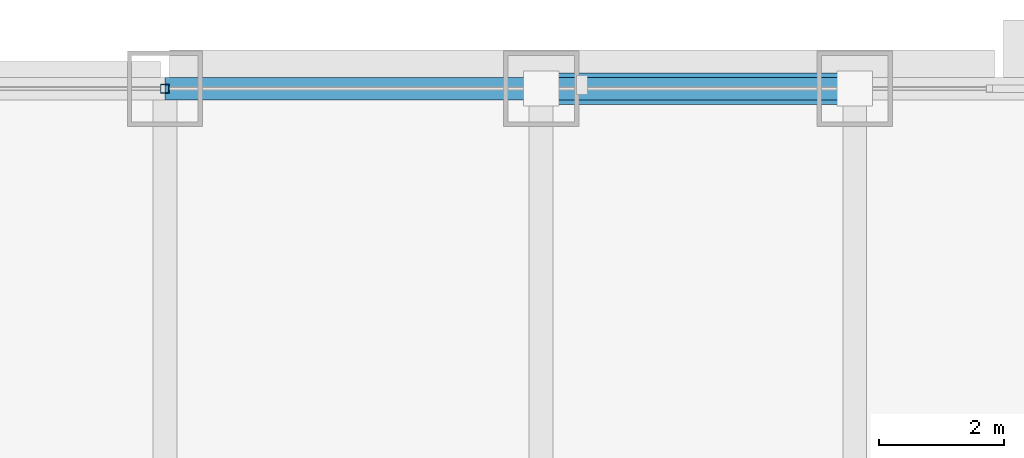
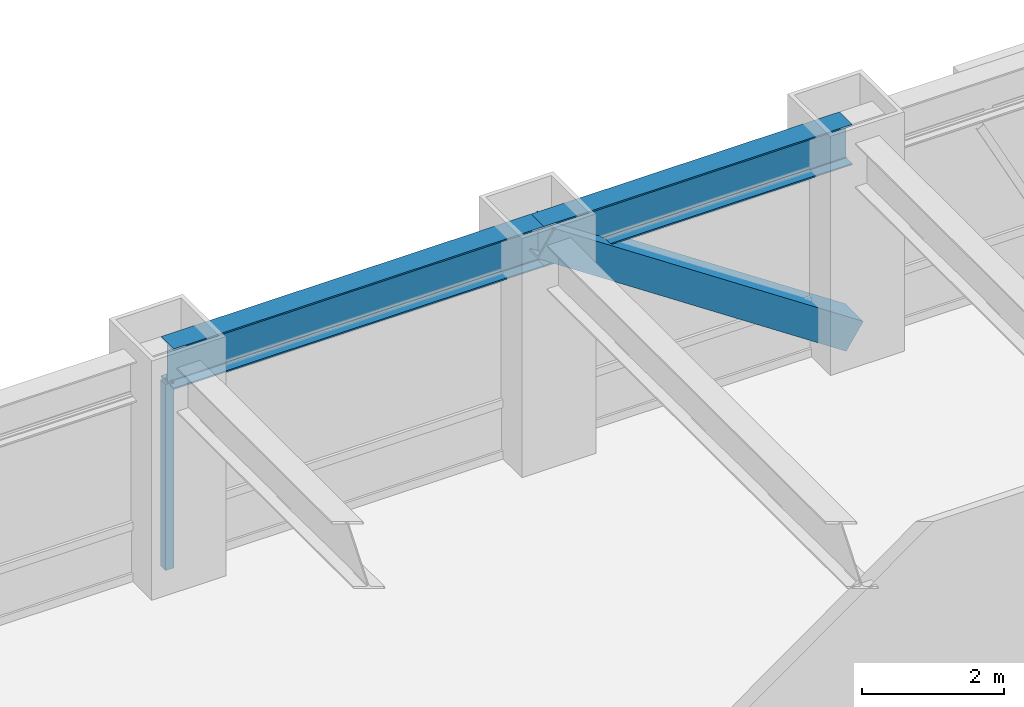
# One storey, part 19 of 32: 2 beams, 2 members, 1 element without a shape of its own.
"""IFC4 building model written with IfcOpenShell, lengths in metres."""

from ifc_helpers import new_model, si_unit, direction, frame, origin, origin_2d, place, context, subcontext, project, spatial, hollow_rectangle, i_section, extrude, source, transform, mapped, material, material_profile, profile_set, type_object, element, aggregate, save


model = new_model("IFC4")

# Units and contexts
model_context = context("Model", 3, precision=1e-05, world=origin(), true_north=direction((0.0, 1.0)))
body_context = subcontext(model_context, "Body", "Model", "MODEL_VIEW")
ifc_project = project(units=[si_unit("LENGTHUNIT", "METRE"), si_unit("AREAUNIT", "SQUARE_METRE"), si_unit("VOLUMEUNIT", "CUBIC_METRE"), si_unit("PLANEANGLEUNIT", "RADIAN"), si_unit("MASSUNIT", "GRAM", prefix="KILO")], contexts=[model_context])

# Site, building, storey
site_placement = place(None, origin())
site = spatial("IfcSite", under=ifc_project, at=site_placement, CompositionType="ELEMENT")
building_placement = place(site_placement, origin())
building = spatial("IfcBuilding", under=site, at=building_placement, Name="Khorayat Bourse Tower", CompositionType="ELEMENT")
storey_placement = place(building_placement, frame((0.0, 0.0, 91.39990234375)))
storey = spatial("IfcBuildingStorey", under=building, at=storey_placement, Name="L20", CompositionType="ELEMENT", Elevation=91.39990234375)

# Beams
ifc_material_1 = material(Name="Steel ASTM A992 Grade 50", Category="steel")
ifc_material_profile_1 = material_profile(ifc_material_1, i_section(OverallWidth=0.35498046875, OverallDepth=0.695068359375, WebThickness=0.015380859375, FlangeThickness=0.02490234375, FilletRadius=0.01806640625, at=origin_2d()), Name="W690X217")
ifc_profile_set_1 = profile_set([ifc_material_profile_1], Name="Steel ASTM A992 Grade 50")
beam_type = type_object("IfcBeamType", Name="BM-SPAN-690", PredefinedType="SPANDREL", material=ifc_profile_set_1)
shared_shape_1 = source(origin(), body_context, "Body", "SweptSolid", [
    extrude(i_section(OverallWidth=0.35498046875, OverallDepth=0.695068359375, WebThickness=0.015380859375, FlangeThickness=0.02490234375, FilletRadius=0.01806640625, at=origin_2d()), origin(), (0.0, 0.0, 1.0), 5.0),
])
beam_1_placement = place(storey_placement, frame((6.0, 32.0, 3.49267578125), z_axis=(1.0, 0.0, 0.0), x_axis=(0.0, 1.0, 0.0)))
element("IfcBeam", 1, at=beam_1_placement, inside=storey, type_object=beam_type, Name="L20 BM-SPAN-690 BM-L20-SPN-046", PredefinedType="SPANDREL", context=body_context, shape_type="MappedRepresentation", body=[
    mapped(shared_shape_1, transform((0.0, 0.0, 0.0), scale=1.0)),
])
shared_shape_2 = source(origin(), body_context, "Body", "SweptSolid", [
    extrude(i_section(OverallWidth=0.35498046875, OverallDepth=0.695068359375, WebThickness=0.015380859375, FlangeThickness=0.02490234375, FilletRadius=0.01806640625, at=origin_2d()), origin(), (0.0, 0.0, 1.0), 6.0),
])
beam_2_placement = place(storey_placement, frame((0.0, 32.0, 3.49267578125), z_axis=(1.0, 0.0, 0.0), x_axis=(0.0, 1.0, 0.0)))
element("IfcBeam", 2, at=beam_2_placement, inside=storey, type_object=beam_type, Name="L20 BM-SPAN-690 BM-L20-SPN-047", PredefinedType="SPANDREL", context=body_context, shape_type="MappedRepresentation", body=[
    mapped(shared_shape_2, transform((0.0, 0.0, 0.0), scale=1.0)),
])

# Member
ifc_material_2 = material(Name="Steel EN 10025-4 S460M", Category="steel")
ifc_material_profile_2 = material_profile(ifc_material_2, hollow_rectangle(XDim=0.5, YDim=0.5, WallThickness=0.028076171875, at=origin_2d()), Name="HSS 500x500x28")
ifc_profile_set_2 = profile_set([ifc_material_profile_2], Name="Steel EN 10025-4 S460M")
member_type_1 = type_object("IfcMemberType", Name="MBR-TUBE-500", PredefinedType="BRACE", material=ifc_profile_set_2)
shared_shape_3 = source(origin(), body_context, "Body", "SweptSolid", [
    extrude(hollow_rectangle(XDim=0.5, YDim=0.5, WallThickness=0.028076171875, at=origin_2d()), origin(), (0.0, 0.0, 1.0), 6.012939453125),
])
member_1_placement = place(storey_placement, frame((6.0, 32.0, 3.590087890625), z_axis=(0.831531473026, 0.0, -0.555477640745), x_axis=(0.0, 1.0, 0.0)))
element("IfcMember", 3, at=member_1_placement, inside=storey, type_object=member_type_1, Name="L20 Perimeter Tube Brace 04", PredefinedType="BRACE", context=body_context, shape_type="MappedRepresentation", body=[
    mapped(shared_shape_3, transform((0.0, 0.0, 0.0), scale=1.0)),
])

# Curtain wall, member
ifc_material_3 = material(Name="Aluminium EN AW-6063 T6", Category="aluminium")
curtain_wall_type = type_object("IfcCurtainWallType", Name="CW-SYS-02", PredefinedType="NOTDEFINED", material=ifc_material_3)
curtain_wall_placement = place(storey_placement, origin())
curtain_wall = element("IfcCurtainWall", 4, at=curtain_wall_placement, inside=storey, type_object=curtain_wall_type, Name="L20 Curtain Wall CW-L20-N1", PredefinedType="NOTDEFINED")
ifc_material_profile_3 = material_profile(ifc_material_3, hollow_rectangle(XDim=0.139892578125, YDim=0.139892578125, WallThickness=0.006103515625, at=origin_2d()), Name="ALU 140x140x6")
ifc_profile_set_3 = profile_set([ifc_material_profile_3], Name="Aluminium EN AW-6063 T6")
member_type_2 = type_object("IfcMemberType", Name="CWM-VERT-140", PredefinedType="MULLION", material=ifc_profile_set_3)
shared_shape_4 = source(origin(), body_context, "Body", "SweptSolid", [
    extrude(hollow_rectangle(XDim=0.139892578125, YDim=0.139892578125, WallThickness=0.006103515625, at=origin_2d()), origin(), (0.0, 0.0, 1.0), 3.190185546875),
])
member_2_placement = place(storey_placement, frame((0.0, 32.0, 0.0), z_axis=(0.0, 0.0, 1.0), x_axis=(0.0, 1.0, 0.0)))
member_2 = element("IfcMember", 5, at=member_2_placement, type_object=member_type_2, Name="CW-L20-N1 Vertical Mullion 2", PredefinedType="MULLION", context=body_context, shape_type="MappedRepresentation", body=[
    mapped(shared_shape_4, transform((0.0, 0.0, 0.0), scale=1.0)),
])
aggregate(curtain_wall, [member_2])

save(model, "model.ifc")
